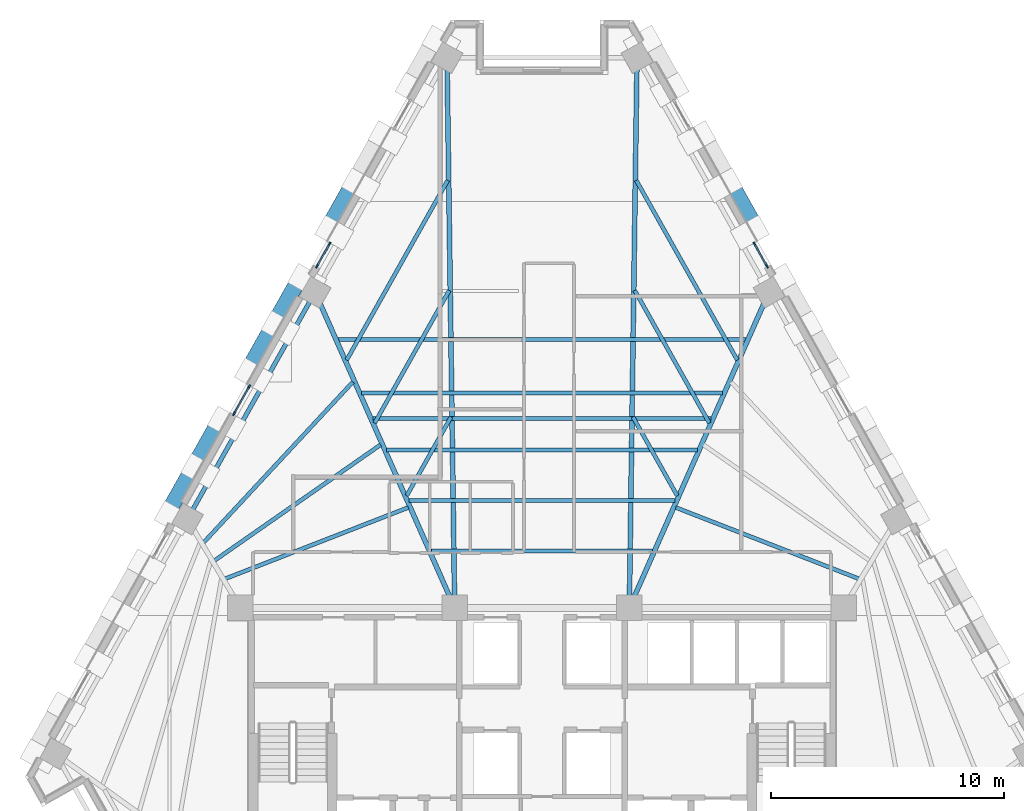
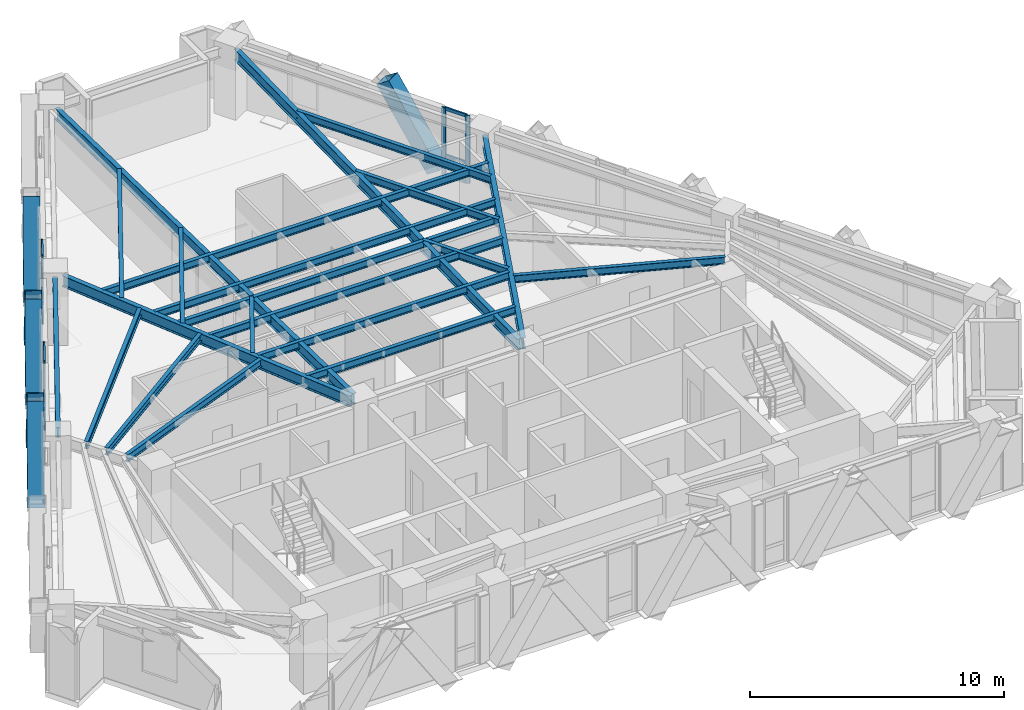
# One storey, part 3 of 13: 21 beams, 21 members, 3 elements without a shape of their own.
"""IFC4 building model written with IfcOpenShell, lengths in metres."""

from ifc_helpers import new_model, si_unit, direction, frame, origin, origin_2d, place, context, subcontext, project, spatial, rectangle, hollow_rectangle, i_section, extrude, material, material_profile, profile_set, type_object, element, aggregate, save


model = new_model("IFC4")

# Units and contexts
model_context = context("Model", 3, precision=1e-05, world=origin(), true_north=direction((0.0, 1.0)))
body_context = subcontext(model_context, "Body", "Model", "MODEL_VIEW")
ifc_project = project(units=[si_unit("LENGTHUNIT", "METRE"), si_unit("AREAUNIT", "SQUARE_METRE"), si_unit("VOLUMEUNIT", "CUBIC_METRE"), si_unit("PLANEANGLEUNIT", "RADIAN"), si_unit("MASSUNIT", "GRAM", prefix="KILO")], contexts=[model_context])

# Site, building, storey
site_placement = place(None, origin())
site = spatial("IfcSite", under=ifc_project, at=site_placement, CompositionType="ELEMENT")
building_placement = place(site_placement, origin())
building = spatial("IfcBuilding", under=site, at=building_placement, Name="Quenlor Broadcast Tower", CompositionType="ELEMENT")
storey_placement = place(building_placement, frame((0.0, 0.0, 147.5)))
storey = spatial("IfcBuildingStorey", under=building, at=storey_placement, Name="L40", CompositionType="ELEMENT", Elevation=147.5)

# Curtain wall, members
ifc_material_1 = material(Name="Architectural Terracotta and Low-E Glazing", Category="masonry")
curtain_wall_type = type_object("IfcCurtainWallType", Name="Unitised Terracotta Curtain Wall System Z3", PredefinedType="NOTDEFINED", material=ifc_material_1)
curtain_wall_1_placement = place(storey_placement, origin())
curtain_wall_1 = element("IfcCurtainWall", 1, at=curtain_wall_1_placement, inside=storey, type_object=curtain_wall_type, Name="L40 Curtain Wall CW3 (L40-NEA-G2)", PredefinedType="NOTDEFINED")
ifc_material_2 = material(Name="Aluminium 6063-T6", Category="aluminium")
ifc_material_profile_1 = material_profile(ifc_material_2, rectangle(XDim=0.070068359375, YDim=0.18994140625, at=origin_2d()))
ifc_profile_set_1 = profile_set([ifc_material_profile_1], Name="Aluminium 6063-T6 MULL70x190")
member_type_1 = type_object("IfcMemberType", Name="CW3 Aluminium Mullion MULL_CW3", PredefinedType="MULLION", material=ifc_profile_set_1)
member_1_placement = place(storey_placement, frame((9.1259765625, 10.8193359375, 0.0), z_axis=(0.0, 0.0, 1.0), x_axis=(0.871601010924, 0.490215950125, 0.0)))
member_1 = element("IfcMember", 2, at=member_1_placement, type_object=member_type_1, Name="CW3 mullion 1", PredefinedType="MULLION", context=body_context, shape_type="SweptSolid", body=[
    extrude(rectangle(XDim=0.070068359375, YDim=0.18994140625, at=origin_2d()), origin(), (0.0, 0.0, 1.0), 3.25),
])
member_2_placement = place(storey_placement, frame((9.656982421875, 9.875244140625, 0.0), z_axis=(0.0, 0.0, 1.0), x_axis=(0.871601010924, 0.490215950125, 0.0)))
member_2 = element("IfcMember", 3, at=member_2_placement, type_object=member_type_1, Name="CW3 mullion 2", PredefinedType="MULLION", context=body_context, shape_type="SweptSolid", body=[
    extrude(rectangle(XDim=0.070068359375, YDim=0.18994140625, at=origin_2d()), origin(), (0.0, 0.0, 1.0), 3.25),
])

curtain_wall_2_placement = place(storey_placement, origin())
curtain_wall_2 = element("IfcCurtainWall", 4, at=curtain_wall_2_placement, inside=storey, type_object=curtain_wall_type, Name="L40 Curtain Wall CW3 (L40-NWC-G1)", PredefinedType="NOTDEFINED")
member_3_placement = place(storey_placement, frame((-9.656982421875, 9.875244140625, 0.0), z_axis=(0.0, 0.0, 1.0), x_axis=(-0.871601010924, 0.490215950125, 0.0)))
member_3 = element("IfcMember", 5, at=member_3_placement, type_object=member_type_1, Name="CW3 mullion 1", PredefinedType="MULLION", context=body_context, shape_type="SweptSolid", body=[
    extrude(rectangle(XDim=0.070068359375, YDim=0.18994140625, at=origin_2d()), origin(), (0.0, 0.0, 1.0), 3.25),
])
member_4_placement = place(storey_placement, frame((-9.1259765625, 10.8193359375, 0.0), z_axis=(0.0, 0.0, 1.0), x_axis=(-0.871601010924, 0.490215950125, 0.0)))
member_4 = element("IfcMember", 6, at=member_4_placement, type_object=member_type_1, Name="CW3 mullion 2", PredefinedType="MULLION", context=body_context, shape_type="SweptSolid", body=[
    extrude(rectangle(XDim=0.070068359375, YDim=0.18994140625, at=origin_2d()), origin(), (0.0, 0.0, 1.0), 3.25),
])

curtain_wall_3_placement = place(storey_placement, origin())
curtain_wall_3 = element("IfcCurtainWall", 7, at=curtain_wall_3_placement, inside=storey, type_object=curtain_wall_type, Name="L40 Curtain Wall CW3 (L40-NW-G1)", PredefinedType="NOTDEFINED")
member_5_placement = place(storey_placement, frame((-13.220947265625, 3.5390625, 0.0), z_axis=(0.0, 0.0, 1.0), x_axis=(-0.871562085714, 0.490285152484, 0.0)))
member_5 = element("IfcMember", 8, at=member_5_placement, type_object=member_type_1, Name="CW3 mullion 1", PredefinedType="MULLION", context=body_context, shape_type="SweptSolid", body=[
    extrude(rectangle(XDim=0.070068359375, YDim=0.18994140625, at=origin_2d()), origin(), (0.0, 0.0, 1.0), 3.25),
])
member_6_placement = place(storey_placement, frame((-12.573974609375, 4.689208984375, 0.0), z_axis=(0.0, 0.0, 1.0), x_axis=(-0.871562085714, 0.490285152484, 0.0)))
member_6 = element("IfcMember", 9, at=member_6_placement, type_object=member_type_1, Name="CW3 mullion 2", PredefinedType="MULLION", context=body_context, shape_type="SweptSolid", body=[
    extrude(rectangle(XDim=0.070068359375, YDim=0.18994140625, at=origin_2d()), origin(), (0.0, 0.0, 1.0), 3.25),
])

# Member
ifc_material_3 = material(Name="Aluminium 6063-T6", Category="aluminium")
ifc_material_profile_2 = material_profile(ifc_material_3, rectangle(XDim=0.070068359375, YDim=0.155029296875, at=origin_2d()))
ifc_profile_set_2 = profile_set([ifc_material_profile_2], Name="Aluminium 6063-T6 TRAN70x155")
member_type_2 = type_object("IfcMemberType", Name="CW3 Aluminium Transom TRAN_CW3", PredefinedType="USERDEFINED", material=ifc_profile_set_2)
member_7_placement = place(storey_placement, frame((9.14306640625, 10.788818359375, 0.034912109375), z_axis=(0.490341317219, -0.871530488639, 0.0), x_axis=(0.871530488639, 0.490341317219, 0.0)))
member_7 = element("IfcMember", 10, at=member_7_placement, type_object=member_type_2, Name="CW3 transom 1.1", ObjectType="TRANSOM", PredefinedType="USERDEFINED", context=body_context, shape_type="SweptSolid", body=[
    extrude(rectangle(XDim=0.070068359375, YDim=0.155029296875, at=origin_2d()), origin(), (0.0, 0.0, 1.0), 1.01318359375),
])

member_8_placement = place(storey_placement, frame((9.14306640625, 10.788818359375, 0.949951171875), z_axis=(0.490341317219, -0.871530488639, 0.0), x_axis=(0.871530488639, 0.490341317219, 0.0)))
member_8 = element("IfcMember", 11, at=member_8_placement, type_object=member_type_2, Name="CW3 transom 1.2", ObjectType="TRANSOM", PredefinedType="USERDEFINED", context=body_context, shape_type="SweptSolid", body=[
    extrude(rectangle(XDim=0.070068359375, YDim=0.155029296875, at=origin_2d()), origin(), (0.0, 0.0, 1.0), 1.01318359375),
])

member_9_placement = place(storey_placement, frame((9.14306640625, 10.788818359375, 3.215087890625), z_axis=(0.490341317219, -0.871530488639, 0.0), x_axis=(0.871530488639, 0.490341317219, 0.0)))
member_9 = element("IfcMember", 12, at=member_9_placement, type_object=member_type_2, Name="CW3 transom 1.3", ObjectType="TRANSOM", PredefinedType="USERDEFINED", context=body_context, shape_type="SweptSolid", body=[
    extrude(rectangle(XDim=0.070068359375, YDim=0.155029296875, at=origin_2d()), origin(), (0.0, 0.0, 1.0), 1.01318359375),
])

aggregate(curtain_wall_1, [member_1, member_2, member_7, member_8, member_9])

member_10_placement = place(storey_placement, frame((-9.639892578125, 9.90576171875, 0.034912109375), z_axis=(0.490341317219, 0.871530488639, 0.0), x_axis=(-0.871530488639, 0.490341317219, 0.0)))
member_10 = element("IfcMember", 13, at=member_10_placement, type_object=member_type_2, Name="CW3 transom 1.1", ObjectType="TRANSOM", PredefinedType="USERDEFINED", context=body_context, shape_type="SweptSolid", body=[
    extrude(rectangle(XDim=0.070068359375, YDim=0.155029296875, at=origin_2d()), origin(), (0.0, 0.0, 1.0), 1.01318359375),
])

member_11_placement = place(storey_placement, frame((-9.639892578125, 9.90576171875, 0.949951171875), z_axis=(0.490341317219, 0.871530488639, 0.0), x_axis=(-0.871530488639, 0.490341317219, 0.0)))
member_11 = element("IfcMember", 14, at=member_11_placement, type_object=member_type_2, Name="CW3 transom 1.2", ObjectType="TRANSOM", PredefinedType="USERDEFINED", context=body_context, shape_type="SweptSolid", body=[
    extrude(rectangle(XDim=0.070068359375, YDim=0.155029296875, at=origin_2d()), origin(), (0.0, 0.0, 1.0), 1.01318359375),
])

member_12_placement = place(storey_placement, frame((-9.639892578125, 9.90576171875, 3.215087890625), z_axis=(0.490341317219, 0.871530488639, 0.0), x_axis=(-0.871530488639, 0.490341317219, 0.0)))
member_12 = element("IfcMember", 15, at=member_12_placement, type_object=member_type_2, Name="CW3 transom 1.3", ObjectType="TRANSOM", PredefinedType="USERDEFINED", context=body_context, shape_type="SweptSolid", body=[
    extrude(rectangle(XDim=0.070068359375, YDim=0.155029296875, at=origin_2d()), origin(), (0.0, 0.0, 1.0), 1.01318359375),
])

aggregate(curtain_wall_2, [member_3, member_4, member_10, member_11, member_12])

member_13_placement = place(storey_placement, frame((-13.203857421875, 3.569580078125, 0.034912109375), z_axis=(0.490363266059, 0.871518139398, 0.0), x_axis=(-0.871518139398, 0.490363266059, 0.0)))
member_13 = element("IfcMember", 16, at=member_13_placement, type_object=member_type_2, Name="CW3 transom 1.1", ObjectType="TRANSOM", PredefinedType="USERDEFINED", context=body_context, shape_type="SweptSolid", body=[
    extrude(rectangle(XDim=0.070068359375, YDim=0.155029296875, at=origin_2d()), origin(), (0.0, 0.0, 1.0), 1.249755859375),
])

member_14_placement = place(storey_placement, frame((-13.203857421875, 3.569580078125, 0.949951171875), z_axis=(0.490363266059, 0.871518139398, 0.0), x_axis=(-0.871518139398, 0.490363266059, 0.0)))
member_14 = element("IfcMember", 17, at=member_14_placement, type_object=member_type_2, Name="CW3 transom 1.2", ObjectType="TRANSOM", PredefinedType="USERDEFINED", context=body_context, shape_type="SweptSolid", body=[
    extrude(rectangle(XDim=0.070068359375, YDim=0.155029296875, at=origin_2d()), origin(), (0.0, 0.0, 1.0), 1.249755859375),
])

member_15_placement = place(storey_placement, frame((-13.203857421875, 3.569580078125, 3.215087890625), z_axis=(0.490363266059, 0.871518139398, 0.0), x_axis=(-0.871518139398, 0.490363266059, 0.0)))
member_15 = element("IfcMember", 18, at=member_15_placement, type_object=member_type_2, Name="CW3 transom 1.3", ObjectType="TRANSOM", PredefinedType="USERDEFINED", context=body_context, shape_type="SweptSolid", body=[
    extrude(rectangle(XDim=0.070068359375, YDim=0.155029296875, at=origin_2d()), origin(), (0.0, 0.0, 1.0), 1.249755859375),
])

aggregate(curtain_wall_3, [member_5, member_6, member_13, member_14, member_15])

# Members
ifc_material_4 = material(Name="Steel S355", Category="steel")
ifc_material_profile_3 = material_profile(ifc_material_4, hollow_rectangle(XDim=0.679931640625, YDim=0.679931640625, WallThickness=0.02490234375, at=origin_2d()))
ifc_profile_set_3 = profile_set([ifc_material_profile_3], Name="Steel S355 RHS680x680x25")
member_type_3 = type_object("IfcMemberType", Name="Perimeter Diagonal Lattice Brace Z3-Z4 Steel S355 RHS680x25", PredefinedType="BRACE", material=ifc_profile_set_3)
for number, where, z_axis, x_axis, name in (
    (19, (9.212158203125, 11.4716796875, -0.1201171875), (-0.27060310517, 0.481001091283, 0.833913610428), (-0.871544572467, -0.490316283845, 0.0), "L40 Perimeter Diamond Lattice NE-C2B"),
    (20, (-16.1083984375, -0.7880859375, -0.1201171875), (0.27060310517, 0.481001091283, 0.833913610428), (-0.871544572467, 0.490316283845, 0.0), "L40 Perimeter Diamond Lattice NW-C2S"),
    (21, (-12.66015625, 5.341796875, -0.1201171875), (0.2705491942, 0.481008661973, 0.833926735766), (-0.871589611547, 0.490236217596, 0.0), "L40 Perimeter Diamond Lattice NW-C3S"),
    (22, (-13.823486328125, 3.27392578125, -0.1201171875), (-0.2705491942, -0.481008661973, 0.833926735766), (0.871589611547, -0.490236217596, 0.0), "L40 Perimeter Diamond Lattice NW-C3B"),
    (23, (-9.212158203125, 11.4716796875, -0.1201171875), (0.27060310517, 0.481001091283, 0.833913610428), (-0.871544572467, 0.490316283845, 0.0), "L40 Perimeter Diamond Lattice NW-C4S"),
    (24, (-10.375244140625, 9.40380859375, -0.1201171875), (-0.2705491942, -0.481008661973, 0.833926735766), (0.871589611547, -0.490236217596, 0.0), "L40 Perimeter Diamond Lattice NW-C4B"),
):
    element("IfcMember", number, at=place(storey_placement, frame(where, z_axis=z_axis, x_axis=x_axis)), inside=storey, type_object=member_type_3, Name=name, PredefinedType="BRACE", context=body_context, shape_type="SweptSolid", body=[
        extrude(hollow_rectangle(XDim=0.679931640625, YDim=0.679931640625, WallThickness=0.02490234375, at=origin_2d()), origin(), (0.0, 0.0, 1.0), 4.197021484375),
    ])

# Beams
ifc_material_5 = material(Name="Steel S355", Category="steel")
ifc_material_profile_4 = material_profile(ifc_material_5, i_section(OverallWidth=0.19091796875, OverallDepth=0.46044921875, WebThickness=0.010009765625, FlangeThickness=0.01611328125, FilletRadius=0.011474609375, at=origin_2d()))
ifc_profile_set_4 = profile_set([ifc_material_profile_4], Name="Steel S355 460UB82.1")
beam_type_1 = type_object("IfcBeamType", Name="Perimeter Spandrel Beam Z3 Steel S355 460UB82.1", PredefinedType="SPANDREL", material=ifc_profile_set_4)
beam_1_placement = place(storey_placement, frame((-9.944091796875, 8.39599609375, 3.019775390625), z_axis=(-0.490252288562, -0.871580572041, 0.0), x_axis=(0.871580572041, -0.490252288562, 0.0)))
element("IfcBeam", 25, at=beam_1_placement, inside=storey, type_object=beam_type_1, Name="L40 Spandrel Beam NW2-NW3", PredefinedType="SPANDREL", context=body_context, shape_type="SweptSolid", body=[
    extrude(i_section(OverallWidth=0.19091796875, OverallDepth=0.46044921875, WebThickness=0.010009765625, FlangeThickness=0.01611328125, FilletRadius=0.011474609375, at=origin_2d()), origin(), (0.0, 0.0, 1.0), 10.359619140625),
])
ifc_material_6 = material(Name="Steel S355", Category="steel")
ifc_material_profile_5 = material_profile(ifc_material_6, i_section(OverallWidth=0.172119140625, OverallDepth=0.358642578125, WebThickness=0.008056640625, FlangeThickness=0.012939453125, FilletRadius=0.011474609375, at=origin_2d()))
ifc_profile_set_5 = profile_set([ifc_material_profile_5], Name="Steel S355 360UB56.7")
beam_type_2 = type_object("IfcBeamType", Name="Tower Composite Joist Z2-Z3 Steel S355 360UB56.7", PredefinedType="JOIST", material=ifc_profile_set_5)
beam_2_placement = place(storey_placement, frame((-4.748779296875, -2.3603515625, 3.07080078125), z_axis=(1.0, 0.0, 0.0), x_axis=(0.0, 1.0, 0.0)))
element("IfcBeam", 26, at=beam_2_placement, inside=storey, type_object=beam_type_2, Name="L40 Secondary Composite Joist 1", PredefinedType="JOIST", context=body_context, shape_type="SweptSolid", body=[
    extrude(i_section(OverallWidth=0.172119140625, OverallDepth=0.358642578125, WebThickness=0.008056640625, FlangeThickness=0.012939453125, FilletRadius=0.011474609375, at=origin_2d()), origin(), (0.0, 0.0, 1.0), 9.49755859375),
])
beam_3_placement = place(storey_placement, frame((-7.265869140625, 3.33203125, 3.07080078125), z_axis=(1.0, 0.0, 0.0), x_axis=(0.0, 1.0, 0.0)))
element("IfcBeam", 27, at=beam_3_placement, inside=storey, type_object=beam_type_2, Name="L40 Secondary Composite Joist 2", PredefinedType="JOIST", context=body_context, shape_type="SweptSolid", body=[
    extrude(i_section(OverallWidth=0.172119140625, OverallDepth=0.358642578125, WebThickness=0.008056640625, FlangeThickness=0.012939453125, FilletRadius=0.011474609375, at=origin_2d()), origin(), (0.0, 0.0, 1.0), 14.53173828125),
])
beam_4_placement = place(storey_placement, frame((-5.70751953125, -0.19189453125, 3.07080078125), z_axis=(1.0, 0.0, 0.0), x_axis=(0.0, 1.0, 0.0)))
element("IfcBeam", 28, at=beam_4_placement, inside=storey, type_object=beam_type_2, Name="L40 Secondary Composite Joist 3", PredefinedType="JOIST", context=body_context, shape_type="SweptSolid", body=[
    extrude(i_section(OverallWidth=0.172119140625, OverallDepth=0.358642578125, WebThickness=0.008056640625, FlangeThickness=0.012939453125, FilletRadius=0.011474609375, at=origin_2d()), origin(), (0.0, 0.0, 1.0), 11.4150390625),
])
beam_5_placement = place(storey_placement, frame((-6.66650390625, 1.976806640625, 3.07080078125), z_axis=(1.0, 0.0, 0.0), x_axis=(0.0, 1.0, 0.0)))
element("IfcBeam", 29, at=beam_5_placement, inside=storey, type_object=beam_type_2, Name="L40 Secondary Composite Joist 4", PredefinedType="JOIST", context=body_context, shape_type="SweptSolid", body=[
    extrude(i_section(OverallWidth=0.172119140625, OverallDepth=0.358642578125, WebThickness=0.008056640625, FlangeThickness=0.012939453125, FilletRadius=0.011474609375, at=origin_2d()), origin(), (0.0, 0.0, 1.0), 13.3330078125),
])
beam_6_placement = place(storey_placement, frame((-7.7451171875, 4.416259765625, 3.07080078125), z_axis=(1.0, 0.0, 0.0), x_axis=(0.0, 1.0, 0.0)))
element("IfcBeam", 30, at=beam_6_placement, inside=storey, type_object=beam_type_2, Name="L40 Secondary Composite Joist 5", PredefinedType="JOIST", context=body_context, shape_type="SweptSolid", body=[
    extrude(i_section(OverallWidth=0.172119140625, OverallDepth=0.358642578125, WebThickness=0.008056640625, FlangeThickness=0.012939453125, FilletRadius=0.011474609375, at=origin_2d()), origin(), (0.0, 0.0, 1.0), 15.490234375),
])
beam_7_placement = place(storey_placement, frame((-8.763916015625, 6.72021484375, 3.07080078125), z_axis=(1.0, 0.0, 0.0), x_axis=(0.0, 1.0, 0.0)))
element("IfcBeam", 31, at=beam_7_placement, inside=storey, type_object=beam_type_2, Name="L40 Secondary Composite Joist 6", PredefinedType="JOIST", context=body_context, shape_type="SweptSolid", body=[
    extrude(i_section(OverallWidth=0.172119140625, OverallDepth=0.358642578125, WebThickness=0.008056640625, FlangeThickness=0.012939453125, FilletRadius=0.011474609375, at=origin_2d()), origin(), (0.0, 0.0, 1.0), 17.52783203125),
])
beam_8_placement = place(storey_placement, frame((-13.60302734375, -3.552001953125, 3.07080078125), z_axis=(0.931881865797, 0.362761889121, 0.0), x_axis=(-0.362761889121, 0.931881865797, 0.0)))
element("IfcBeam", 32, at=beam_8_placement, inside=storey, type_object=beam_type_2, Name="L40 Secondary Composite Joist 7", PredefinedType="JOIST", context=body_context, shape_type="SweptSolid", body=[
    extrude(i_section(OverallWidth=0.172119140625, OverallDepth=0.358642578125, WebThickness=0.008056640625, FlangeThickness=0.012939453125, FilletRadius=0.011474609375, at=origin_2d()), origin(), (0.0, 0.0, 1.0), 8.435546875),
])
beam_9_placement = place(storey_placement, frame((-14.06689453125, -2.7734375, 3.07080078125), z_axis=(0.82026568394, 0.57198269882, 0.0), x_axis=(-0.57198269882, 0.82026568394, 0.0)))
element("IfcBeam", 33, at=beam_9_placement, inside=storey, type_object=beam_type_2, Name="L40 Secondary Composite Joist 8", PredefinedType="JOIST", context=body_context, shape_type="SweptSolid", body=[
    extrude(i_section(OverallWidth=0.172119140625, OverallDepth=0.358642578125, WebThickness=0.008056640625, FlangeThickness=0.012939453125, FilletRadius=0.011474609375, at=origin_2d()), origin(), (0.0, 0.0, 1.0), 8.698486328125),
])
beam_10_placement = place(storey_placement, frame((-14.53271484375, -1.998779296875, 3.07080078125), z_axis=(0.680873505991, 0.732401030065, 0.0), x_axis=(-0.732401030065, 0.680873505991, 0.0)))
element("IfcBeam", 34, at=beam_10_placement, inside=storey, type_object=beam_type_2, Name="L40 Secondary Composite Joist 9", PredefinedType="JOIST", context=body_context, shape_type="SweptSolid", body=[
    extrude(i_section(OverallWidth=0.172119140625, OverallDepth=0.358642578125, WebThickness=0.008056640625, FlangeThickness=0.012939453125, FilletRadius=0.011474609375, at=origin_2d()), origin(), (0.0, 0.0, 1.0), 9.419189453125),
])
beam_11_placement = place(storey_placement, frame((13.60302734375, -3.552001953125, 3.07080078125), z_axis=(-0.931881865797, 0.362761889121, 0.0), x_axis=(-0.362761889121, -0.931881865797, 0.0)))
element("IfcBeam", 35, at=beam_11_placement, inside=storey, type_object=beam_type_2, Name="L40 Secondary Composite Joist 10", PredefinedType="JOIST", context=body_context, shape_type="SweptSolid", body=[
    extrude(i_section(OverallWidth=0.172119140625, OverallDepth=0.358642578125, WebThickness=0.008056640625, FlangeThickness=0.012939453125, FilletRadius=0.011474609375, at=origin_2d()), origin(), (0.0, 0.0, 1.0), 8.435546875),
])
beam_12_placement = place(storey_placement, frame((-3.904541015625, 3.39794921875, 3.07080078125), z_axis=(-0.49026422458, -0.871573858085, 0.0), x_axis=(0.871573858085, -0.49026422458, 0.0)))
element("IfcBeam", 36, at=beam_12_placement, inside=storey, type_object=beam_type_2, Name="L40 Secondary Composite Joist 25", PredefinedType="JOIST", context=body_context, shape_type="SweptSolid", body=[
    extrude(i_section(OverallWidth=0.172119140625, OverallDepth=0.358642578125, WebThickness=0.008056640625, FlangeThickness=0.012939453125, FilletRadius=0.011474609375, at=origin_2d()), origin(), (0.0, 0.0, 1.0), 3.88330078125),
])
beam_13_placement = place(storey_placement, frame((-3.980224609375, 8.8310546875, 3.07080078125), z_axis=(-0.490266556378, -0.871572546434, 0.0), x_axis=(0.871572546434, -0.490266556378, 0.0)))
element("IfcBeam", 37, at=beam_13_placement, inside=storey, type_object=beam_type_2, Name="L40 Secondary Composite Joist 26", PredefinedType="JOIST", context=body_context, shape_type="SweptSolid", body=[
    extrude(i_section(OverallWidth=0.172119140625, OverallDepth=0.358642578125, WebThickness=0.008056640625, FlangeThickness=0.012939453125, FilletRadius=0.011474609375, at=origin_2d()), origin(), (0.0, 0.0, 1.0), 6.54052734375),
])
beam_14_placement = place(storey_placement, frame((-4.046142578125, 13.555419921875, 3.07080078125), z_axis=(-0.490254691431, -0.871579220455, 0.0), x_axis=(0.871579220455, -0.490254691431, 0.0)))
element("IfcBeam", 38, at=beam_14_placement, inside=storey, type_object=beam_type_2, Name="L40 Secondary Composite Joist 27", PredefinedType="JOIST", context=body_context, shape_type="SweptSolid", body=[
    extrude(i_section(OverallWidth=0.172119140625, OverallDepth=0.358642578125, WebThickness=0.008056640625, FlangeThickness=0.012939453125, FilletRadius=0.011474609375, at=origin_2d()), origin(), (0.0, 0.0, 1.0), 8.850830078125),
])
beam_15_placement = place(storey_placement, frame((3.904541015625, 3.39794921875, 3.07080078125), z_axis=(0.49026422458, -0.871573858085, 0.0), x_axis=(0.871573858085, 0.49026422458, 0.0)))
element("IfcBeam", 39, at=beam_15_placement, inside=storey, type_object=beam_type_2, Name="L40 Secondary Composite Joist 28", PredefinedType="JOIST", context=body_context, shape_type="SweptSolid", body=[
    extrude(i_section(OverallWidth=0.172119140625, OverallDepth=0.358642578125, WebThickness=0.008056640625, FlangeThickness=0.012939453125, FilletRadius=0.011474609375, at=origin_2d()), origin(), (0.0, 0.0, 1.0), 3.88330078125),
])
beam_16_placement = place(storey_placement, frame((3.980224609375, 8.8310546875, 3.07080078125), z_axis=(0.490266556378, -0.871572546434, 0.0), x_axis=(0.871572546434, 0.490266556378, 0.0)))
element("IfcBeam", 40, at=beam_16_placement, inside=storey, type_object=beam_type_2, Name="L40 Secondary Composite Joist 29", PredefinedType="JOIST", context=body_context, shape_type="SweptSolid", body=[
    extrude(i_section(OverallWidth=0.172119140625, OverallDepth=0.358642578125, WebThickness=0.008056640625, FlangeThickness=0.012939453125, FilletRadius=0.011474609375, at=origin_2d()), origin(), (0.0, 0.0, 1.0), 6.54052734375),
])
beam_17_placement = place(storey_placement, frame((4.046142578125, 13.555419921875, 3.07080078125), z_axis=(0.490254691431, -0.871579220455, 0.0), x_axis=(0.871579220455, 0.490254691431, 0.0)))
element("IfcBeam", 41, at=beam_17_placement, inside=storey, type_object=beam_type_2, Name="L40 Secondary Composite Joist 30", PredefinedType="JOIST", context=body_context, shape_type="SweptSolid", body=[
    extrude(i_section(OverallWidth=0.172119140625, OverallDepth=0.358642578125, WebThickness=0.008056640625, FlangeThickness=0.012939453125, FilletRadius=0.011474609375, at=origin_2d()), origin(), (0.0, 0.0, 1.0), 8.850830078125),
])
ifc_material_7 = material(Name="Steel S355", Category="steel")
ifc_material_profile_6 = material_profile(ifc_material_7, i_section(OverallWidth=0.208984375, OverallDepth=0.532958984375, WebThickness=0.01025390625, FlangeThickness=0.015625, FilletRadius=0.013916015625, at=origin_2d()))
ifc_profile_set_6 = profile_set([ifc_material_profile_6], Name="Steel S355 530UB92.4")
beam_type_3 = type_object("IfcBeamType", Name="Tower Primary Floor Beam Z3 Steel S355 530UB92.4", PredefinedType="BEAM", material=ifc_profile_set_6)
beam_18_placement = place(storey_placement, frame((9.5771484375, 8.37841796875, 2.9833984375), z_axis=(-0.404397129794, -0.914583490675, 0.0), x_axis=(0.914583490675, -0.404397129794, 0.0)))
element("IfcBeam", 42, at=beam_18_placement, inside=storey, type_object=beam_type_3, Name="L40 Primary Radial Beam NE3", PredefinedType="BEAM", context=body_context, shape_type="SweptSolid", body=[
    extrude(i_section(OverallWidth=0.208984375, OverallDepth=0.532958984375, WebThickness=0.01025390625, FlangeThickness=0.015625, FilletRadius=0.013916015625, at=origin_2d()), origin(), (0.0, 0.0, 1.0), 14.029052734375),
])
for number, where, z_axis, x_axis, name in (
    (43, (4.073486328125, 18.412109375, 2.9833984375), (-0.013931496433, -0.999902951994, 0.0), (0.999902951994, -0.013931496433, 0.0), "L40 Primary Radial Beam NE4"),
    (44, (-4.073486328125, 18.412109375, 2.9833984375), (0.013931496433, -0.999902951994, 0.0), (0.999902951994, 0.013931496433, 0.0), "L40 Primary Radial Beam NW1"),
):
    element("IfcBeam", number, at=place(storey_placement, frame(where, z_axis=z_axis, x_axis=x_axis)), inside=storey, type_object=beam_type_3, Name=name, PredefinedType="BEAM", context=body_context, shape_type="SweptSolid", body=[
        extrude(i_section(OverallWidth=0.208984375, OverallDepth=0.532958984375, WebThickness=0.01025390625, FlangeThickness=0.015625, FilletRadius=0.013916015625, at=origin_2d()), origin(), (0.0, 0.0, 1.0), 22.834228515625),
    ])
beam_19_placement = place(storey_placement, frame((-9.5771484375, 8.37841796875, 2.9833984375), z_axis=(0.404397129794, -0.914583490675, 0.0), x_axis=(0.914583490675, 0.404397129794, 0.0)))
element("IfcBeam", 45, at=beam_19_placement, inside=storey, type_object=beam_type_3, Name="L40 Primary Radial Beam NW2", PredefinedType="BEAM", context=body_context, shape_type="SweptSolid", body=[
    extrude(i_section(OverallWidth=0.208984375, OverallDepth=0.532958984375, WebThickness=0.01025390625, FlangeThickness=0.015625, FilletRadius=0.013916015625, at=origin_2d()), origin(), (0.0, 0.0, 1.0), 14.029052734375),
])

save(model, "model.ifc")
